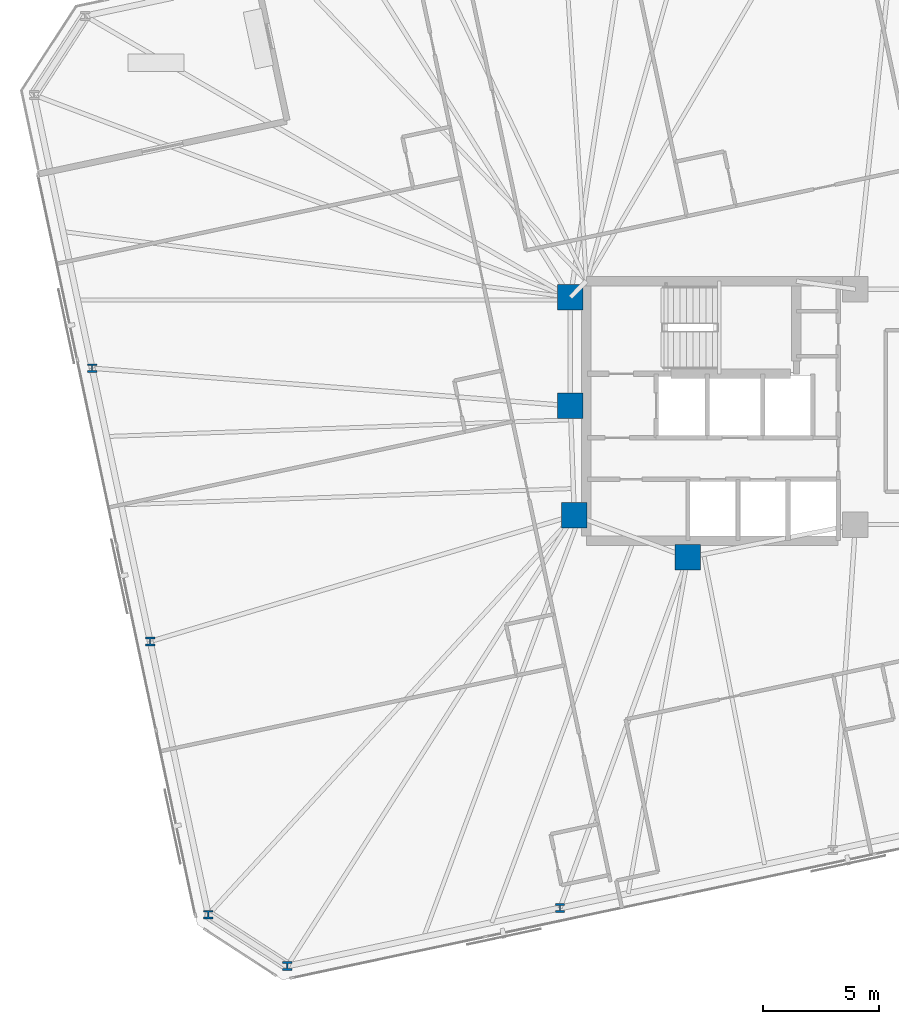
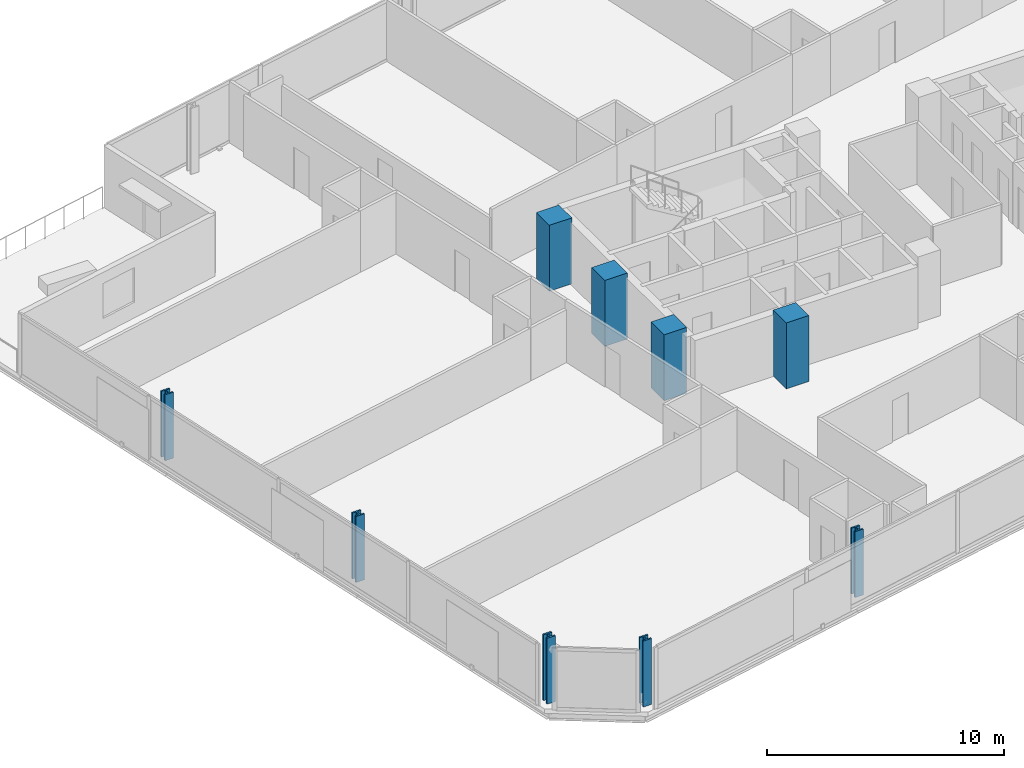
# One storey, part 1 of 20: 9 columns.
"""IFC4 building model written with IfcOpenShell, lengths in metres."""

from ifc_helpers import new_model, si_unit, direction, frame, origin, origin_2d, place, context, subcontext, project, spatial, rectangle, i_section, extrude, material, material_profile, profile_set, type_object, element, save


model = new_model("IFC4")

# Units and contexts
model_context = context("Model", 3, precision=1e-05, world=origin(), true_north=direction((0.0, 1.0)))
body_context = subcontext(model_context, "Body", "Model", "MODEL_VIEW")
ifc_project = project(units=[si_unit("LENGTHUNIT", "METRE"), si_unit("AREAUNIT", "SQUARE_METRE"), si_unit("VOLUMEUNIT", "CUBIC_METRE"), si_unit("PLANEANGLEUNIT", "RADIAN"), si_unit("MASSUNIT", "GRAM", prefix="KILO")], contexts=[model_context])

# Site, building, storey
site_placement = place(None, origin())
site = spatial("IfcSite", under=ifc_project, at=site_placement, CompositionType="ELEMENT")
building_placement = place(site_placement, origin())
building = spatial("IfcBuilding", under=site, at=building_placement, Name="Menara Jurai Vektor", CompositionType="ELEMENT")
storey_placement = place(building_placement, frame((0.0, 0.0, 175.199951171875)))
storey = spatial("IfcBuildingStorey", under=building, at=storey_placement, Name="L45", CompositionType="ELEMENT", Elevation=175.199951171875)

# Columns
ifc_material_1 = material(Name="Concrete C50/60", Category="concrete")
ifc_material_profile_1 = material_profile(ifc_material_1, rectangle(XDim=1.10009765625, YDim=1.10009765625, at=origin_2d()), Name="RC 1100x1100")
ifc_profile_set_1 = profile_set([ifc_material_profile_1], Name="Concrete C50/60")
column_type_1 = type_object("IfcColumnType", Name="STR-COL-RC1100", PredefinedType="COLUMN", material=ifc_profile_set_1)
for number, where, z_axis, x_axis, name in (
    (1, (-15.25, 4.89990234375, 0.0), (0.0, 0.0, 1.0), (1.0, 0.0, 0.0), "Core Spine Column CW-NW L45"),
    (2, (-15.25, 0.219970703125, 0.0), (0.0, 0.0, 1.0), (1.0, 0.0, 0.0), "Core Spine Column CW-WM L45"),
    (3, (-15.080078125, -4.5, 0.0), (0.0, 0.0, 1.0), (1.0, 0.0, 0.0), "Core Spine Column CW-SW L45"),
    (4, (-10.179931640625, -6.320068359375, 0.0), (0.0, 0.0, 1.0), (1.0, 0.0, 0.0), "Core Spine Column CW-SM L45"),
):
    element("IfcColumn", number, at=place(storey_placement, frame(where, z_axis=z_axis, x_axis=x_axis)), inside=storey, type_object=column_type_1, Name=name, PredefinedType="COLUMN", context=body_context, shape_type="SweptSolid", body=[
        extrude(rectangle(XDim=1.10009765625, YDim=1.10009765625, at=origin_2d()), origin(), (0.0, 0.0, 1.0), 3.400146484375),
    ])
ifc_material_2 = material(Name="Steel S460", Category="steel")
ifc_material_profile_2 = material_profile(ifc_material_2, i_section(OverallWidth=0.408935546875, OverallDepth=0.3740234375, WebThickness=0.048095703125, FlangeThickness=0.076904296875, FilletRadius=0.014892578125, at=origin_2d()), Name="HD 400x634")
ifc_profile_set_2 = profile_set([ifc_material_profile_2], Name="Steel S460")
column_type_2 = type_object("IfcColumnType", Name="STR-EXO-BLK3", PredefinedType="COLUMN", material=ifc_profile_set_2)
for number, where, z_axis, x_axis, name in (
    (5, (-27.46484375, -23.94580078125, 0.0), (0.0, 0.0, 1.0), (1.0, 0.0, 0.0), "Exoskeleton Column BLK3-S1 L45"),
    (6, (-15.696533203125, -21.4443359375, 0.0), (0.0, 0.0, 1.0), (1.0, 0.0, 0.0), "Exoskeleton Column BLK3-S2 L45"),
    (7, (-35.8828125, 1.843505859375, 0.0), (0.0, 0.0, 1.0), (1.0, 0.0, 0.0), "Exoskeleton Column BLK3-W2 L45"),
    (8, (-33.377197265625, -9.945068359375, 0.0), (0.0, 0.0, 1.0), (1.0, 0.0, 0.0), "Exoskeleton Column BLK3-W3 L45"),
    (9, (-30.871337890625, -21.7333984375, 0.0), (0.0, 0.0, 1.0), (1.0, 0.0, 0.0), "Exoskeleton Column BLK3-W4 L45"),
):
    element("IfcColumn", number, at=place(storey_placement, frame(where, z_axis=z_axis, x_axis=x_axis)), inside=storey, type_object=column_type_2, Name=name, PredefinedType="COLUMN", context=body_context, shape_type="SweptSolid", body=[
        extrude(i_section(OverallWidth=0.408935546875, OverallDepth=0.3740234375, WebThickness=0.048095703125, FlangeThickness=0.076904296875, FilletRadius=0.014892578125, at=origin_2d()), origin(), (0.0, 0.0, 1.0), 3.400146484375),
    ])

save(model, "model.ifc")
